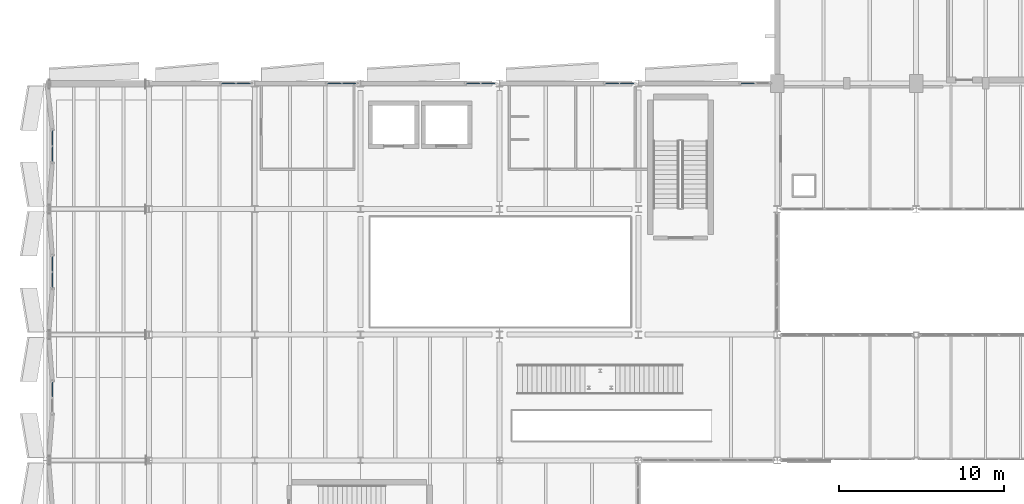
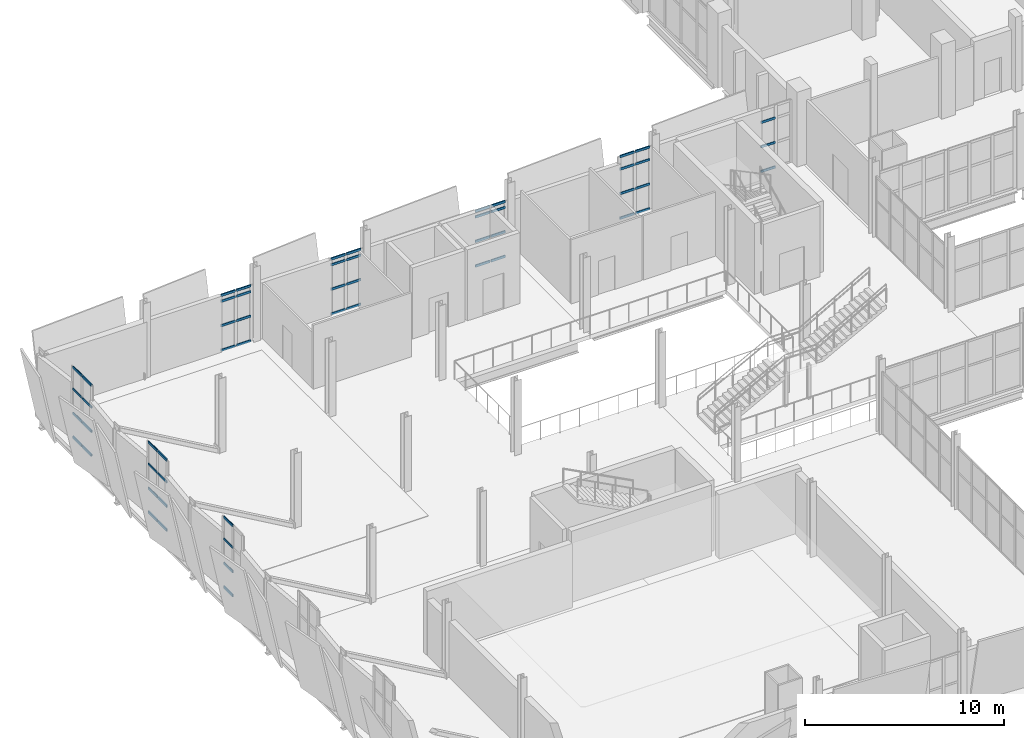
# One storey, part 125 of 172: 55 members, 8 elements without a shape of their own.
"""IFC4 building model written with IfcOpenShell, lengths in metres."""

from ifc_helpers import new_model, si_unit, direction, frame, origin, origin_2d, place, context, subcontext, project, spatial, hollow_rectangle, extrude, material, material_profile, profile_set, type_object, element, aggregate, save


model = new_model("IFC4")

# Units and contexts
model_context = context("Model", 3, precision=1e-05, world=origin(), true_north=direction((0.0, 1.0)))
body_context = subcontext(model_context, "Body", "Model", "MODEL_VIEW")
ifc_project = project(units=[si_unit("LENGTHUNIT", "METRE"), si_unit("AREAUNIT", "SQUARE_METRE"), si_unit("VOLUMEUNIT", "CUBIC_METRE"), si_unit("PLANEANGLEUNIT", "RADIAN"), si_unit("MASSUNIT", "GRAM", prefix="KILO")], contexts=[model_context])

# Site, building, storey
site_placement = place(None, origin())
site = spatial("IfcSite", under=ifc_project, at=site_placement, CompositionType="ELEMENT")
building_placement = place(site_placement, origin())
building = spatial("IfcBuilding", under=site, at=building_placement, Name="Shengluoqiao Park Theatre", CompositionType="ELEMENT")
storey_placement = place(building_placement, frame((0.0, 0.0, 5.39990234375)))
storey = spatial("IfcBuildingStorey", under=building, at=storey_placement, Name="L01", CompositionType="ELEMENT", Elevation=5.39990234375)

# Curtain wall, members
ifc_material = material(Name="Aluminium 6063-T6", Category="aluminium")
curtain_wall_type = type_object("IfcCurtainWallType", Name="ENV-CW-FOYER", PredefinedType="NOTDEFINED", material=ifc_material)
curtain_wall_1_placement = place(storey_placement, origin())
curtain_wall_1 = element("IfcCurtainWall", 1, at=curtain_wall_1_placement, inside=storey, type_object=curtain_wall_type, Name="L01 Curtain Wall CW-L01-0046", PredefinedType="NOTDEFINED")
ifc_material_profile = material_profile(ifc_material, hollow_rectangle(XDim=0.06494140625, YDim=0.14990234375, WallThickness=0.00390625, InnerFilletRadius=0.00390625, OuterFilletRadius=0.008056640625, at=origin_2d()), Name="ALU TRANSOM 150x65x4")
ifc_profile_set = profile_set([ifc_material_profile], Name="Aluminium 6063-T6")
member_type = type_object("IfcMemberType", Name="ENV-TRN-150", PredefinedType="USERDEFINED", material=ifc_profile_set)
member_1_placement = place(storey_placement, frame((10.801025390625, 76.0, 0.03271484375), z_axis=(1.0, 0.0, 0.0), x_axis=(0.0, 1.0, 0.0)))
member_1 = element("IfcMember", 2, at=member_1_placement, type_object=member_type, Name="CW-01 transom 1.1", ObjectType="TRANSOM", PredefinedType="USERDEFINED", context=body_context, shape_type="SweptSolid", body=[
    extrude(hollow_rectangle(XDim=0.06494140625, YDim=0.14990234375, WallThickness=0.00390625, InnerFilletRadius=0.00390625, OuterFilletRadius=0.008056640625, at=origin_2d()), origin(), (0.0, 0.0, 1.0), 0.83251953125),
])
member_2_placement = place(storey_placement, frame((10.801025390625, 76.0, 1.550048828125), z_axis=(1.0, 0.0, 0.0), x_axis=(0.0, 1.0, 0.0)))
member_2 = element("IfcMember", 3, at=member_2_placement, type_object=member_type, Name="CW-01 transom 1.2", ObjectType="TRANSOM", PredefinedType="USERDEFINED", context=body_context, shape_type="SweptSolid", body=[
    extrude(hollow_rectangle(XDim=0.06494140625, YDim=0.14990234375, WallThickness=0.00390625, InnerFilletRadius=0.00390625, OuterFilletRadius=0.008056640625, at=origin_2d()), origin(), (0.0, 0.0, 1.0), 0.83251953125),
])
member_3_placement = place(storey_placement, frame((10.801025390625, 76.0, 3.050048828125), z_axis=(1.0, 0.0, 0.0), x_axis=(0.0, 1.0, 0.0)))
member_3 = element("IfcMember", 4, at=member_3_placement, type_object=member_type, Name="CW-01 transom 1.3", ObjectType="TRANSOM", PredefinedType="USERDEFINED", context=body_context, shape_type="SweptSolid", body=[
    extrude(hollow_rectangle(XDim=0.06494140625, YDim=0.14990234375, WallThickness=0.00390625, InnerFilletRadius=0.00390625, OuterFilletRadius=0.008056640625, at=origin_2d()), origin(), (0.0, 0.0, 1.0), 0.83251953125),
])
member_4_placement = place(storey_placement, frame((10.801025390625, 76.0, 3.405517578125), z_axis=(1.0, 0.0, 0.0), x_axis=(0.0, 1.0, 0.0)))
member_4 = element("IfcMember", 5, at=member_4_placement, type_object=member_type, Name="CW-01 transom 1.4", ObjectType="TRANSOM", PredefinedType="USERDEFINED", context=body_context, shape_type="SweptSolid", body=[
    extrude(hollow_rectangle(XDim=0.06494140625, YDim=0.14990234375, WallThickness=0.00390625, InnerFilletRadius=0.00390625, OuterFilletRadius=0.008056640625, at=origin_2d()), origin(), (0.0, 0.0, 1.0), 0.83251953125),
])
member_5_placement = place(storey_placement, frame((11.698486328125, 76.0, 0.03271484375), z_axis=(1.0, 0.0, 0.0), x_axis=(0.0, 1.0, 0.0)))
member_5 = element("IfcMember", 6, at=member_5_placement, type_object=member_type, Name="CW-01 transom 2.1", ObjectType="TRANSOM", PredefinedType="USERDEFINED", context=body_context, shape_type="SweptSolid", body=[
    extrude(hollow_rectangle(XDim=0.06494140625, YDim=0.14990234375, WallThickness=0.00390625, InnerFilletRadius=0.00390625, OuterFilletRadius=0.008056640625, at=origin_2d()), origin(), (0.0, 0.0, 1.0), 0.83251953125),
])
member_6_placement = place(storey_placement, frame((11.698486328125, 76.0, 1.550048828125), z_axis=(1.0, 0.0, 0.0), x_axis=(0.0, 1.0, 0.0)))
member_6 = element("IfcMember", 7, at=member_6_placement, type_object=member_type, Name="CW-01 transom 2.2", ObjectType="TRANSOM", PredefinedType="USERDEFINED", context=body_context, shape_type="SweptSolid", body=[
    extrude(hollow_rectangle(XDim=0.06494140625, YDim=0.14990234375, WallThickness=0.00390625, InnerFilletRadius=0.00390625, OuterFilletRadius=0.008056640625, at=origin_2d()), origin(), (0.0, 0.0, 1.0), 0.83251953125),
])
member_7_placement = place(storey_placement, frame((11.698486328125, 76.0, 3.050048828125), z_axis=(1.0, 0.0, 0.0), x_axis=(0.0, 1.0, 0.0)))
member_7 = element("IfcMember", 8, at=member_7_placement, type_object=member_type, Name="CW-01 transom 2.3", ObjectType="TRANSOM", PredefinedType="USERDEFINED", context=body_context, shape_type="SweptSolid", body=[
    extrude(hollow_rectangle(XDim=0.06494140625, YDim=0.14990234375, WallThickness=0.00390625, InnerFilletRadius=0.00390625, OuterFilletRadius=0.008056640625, at=origin_2d()), origin(), (0.0, 0.0, 1.0), 0.83251953125),
])
member_8_placement = place(storey_placement, frame((11.698486328125, 76.0, 3.405517578125), z_axis=(1.0, 0.0, 0.0), x_axis=(0.0, 1.0, 0.0)))
member_8 = element("IfcMember", 9, at=member_8_placement, type_object=member_type, Name="CW-01 transom 2.4", ObjectType="TRANSOM", PredefinedType="USERDEFINED", context=body_context, shape_type="SweptSolid", body=[
    extrude(hollow_rectangle(XDim=0.06494140625, YDim=0.14990234375, WallThickness=0.00390625, InnerFilletRadius=0.00390625, OuterFilletRadius=0.008056640625, at=origin_2d()), origin(), (0.0, 0.0, 1.0), 0.83251953125),
])
aggregate(curtain_wall_1, [member_1, member_2, member_3, member_4, member_5, member_6, member_7, member_8])

curtain_wall_2_placement = place(storey_placement, origin())
curtain_wall_2 = element("IfcCurtainWall", 10, at=curtain_wall_2_placement, inside=storey, type_object=curtain_wall_type, Name="L01 Curtain Wall CW-L01-0047", PredefinedType="NOTDEFINED")
member_9_placement = place(storey_placement, frame((17.200927734375, 76.0, 0.03271484375), z_axis=(1.0, 0.0, 0.0), x_axis=(0.0, 1.0, 0.0)))
member_9 = element("IfcMember", 11, at=member_9_placement, type_object=member_type, Name="CW-01 transom 1.1", ObjectType="TRANSOM", PredefinedType="USERDEFINED", context=body_context, shape_type="SweptSolid", body=[
    extrude(hollow_rectangle(XDim=0.06494140625, YDim=0.14990234375, WallThickness=0.00390625, InnerFilletRadius=0.00390625, OuterFilletRadius=0.008056640625, at=origin_2d()), origin(), (0.0, 0.0, 1.0), 0.83251953125),
])
member_10_placement = place(storey_placement, frame((17.200927734375, 76.0, 1.550048828125), z_axis=(1.0, 0.0, 0.0), x_axis=(0.0, 1.0, 0.0)))
member_10 = element("IfcMember", 12, at=member_10_placement, type_object=member_type, Name="CW-01 transom 1.2", ObjectType="TRANSOM", PredefinedType="USERDEFINED", context=body_context, shape_type="SweptSolid", body=[
    extrude(hollow_rectangle(XDim=0.06494140625, YDim=0.14990234375, WallThickness=0.00390625, InnerFilletRadius=0.00390625, OuterFilletRadius=0.008056640625, at=origin_2d()), origin(), (0.0, 0.0, 1.0), 0.83251953125),
])
member_11_placement = place(storey_placement, frame((17.200927734375, 76.0, 3.050048828125), z_axis=(1.0, 0.0, 0.0), x_axis=(0.0, 1.0, 0.0)))
member_11 = element("IfcMember", 13, at=member_11_placement, type_object=member_type, Name="CW-01 transom 1.3", ObjectType="TRANSOM", PredefinedType="USERDEFINED", context=body_context, shape_type="SweptSolid", body=[
    extrude(hollow_rectangle(XDim=0.06494140625, YDim=0.14990234375, WallThickness=0.00390625, InnerFilletRadius=0.00390625, OuterFilletRadius=0.008056640625, at=origin_2d()), origin(), (0.0, 0.0, 1.0), 0.83251953125),
])
member_12_placement = place(storey_placement, frame((17.200927734375, 76.0, 3.405517578125), z_axis=(1.0, 0.0, 0.0), x_axis=(0.0, 1.0, 0.0)))
member_12 = element("IfcMember", 14, at=member_12_placement, type_object=member_type, Name="CW-01 transom 1.4", ObjectType="TRANSOM", PredefinedType="USERDEFINED", context=body_context, shape_type="SweptSolid", body=[
    extrude(hollow_rectangle(XDim=0.06494140625, YDim=0.14990234375, WallThickness=0.00390625, InnerFilletRadius=0.00390625, OuterFilletRadius=0.008056640625, at=origin_2d()), origin(), (0.0, 0.0, 1.0), 0.83251953125),
])
member_13_placement = place(storey_placement, frame((18.098388671875, 76.0, 0.03271484375), z_axis=(1.0, 0.0, 0.0), x_axis=(0.0, 1.0, 0.0)))
member_13 = element("IfcMember", 15, at=member_13_placement, type_object=member_type, Name="CW-01 transom 2.1", ObjectType="TRANSOM", PredefinedType="USERDEFINED", context=body_context, shape_type="SweptSolid", body=[
    extrude(hollow_rectangle(XDim=0.06494140625, YDim=0.14990234375, WallThickness=0.00390625, InnerFilletRadius=0.00390625, OuterFilletRadius=0.008056640625, at=origin_2d()), origin(), (0.0, 0.0, 1.0), 0.83251953125),
])
member_14_placement = place(storey_placement, frame((18.098388671875, 76.0, 1.550048828125), z_axis=(1.0, 0.0, 0.0), x_axis=(0.0, 1.0, 0.0)))
member_14 = element("IfcMember", 16, at=member_14_placement, type_object=member_type, Name="CW-01 transom 2.2", ObjectType="TRANSOM", PredefinedType="USERDEFINED", context=body_context, shape_type="SweptSolid", body=[
    extrude(hollow_rectangle(XDim=0.06494140625, YDim=0.14990234375, WallThickness=0.00390625, InnerFilletRadius=0.00390625, OuterFilletRadius=0.008056640625, at=origin_2d()), origin(), (0.0, 0.0, 1.0), 0.83251953125),
])
member_15_placement = place(storey_placement, frame((18.098388671875, 76.0, 3.050048828125), z_axis=(1.0, 0.0, 0.0), x_axis=(0.0, 1.0, 0.0)))
member_15 = element("IfcMember", 17, at=member_15_placement, type_object=member_type, Name="CW-01 transom 2.3", ObjectType="TRANSOM", PredefinedType="USERDEFINED", context=body_context, shape_type="SweptSolid", body=[
    extrude(hollow_rectangle(XDim=0.06494140625, YDim=0.14990234375, WallThickness=0.00390625, InnerFilletRadius=0.00390625, OuterFilletRadius=0.008056640625, at=origin_2d()), origin(), (0.0, 0.0, 1.0), 0.83251953125),
])
member_16_placement = place(storey_placement, frame((18.098388671875, 76.0, 3.405517578125), z_axis=(1.0, 0.0, 0.0), x_axis=(0.0, 1.0, 0.0)))
member_16 = element("IfcMember", 18, at=member_16_placement, type_object=member_type, Name="CW-01 transom 2.4", ObjectType="TRANSOM", PredefinedType="USERDEFINED", context=body_context, shape_type="SweptSolid", body=[
    extrude(hollow_rectangle(XDim=0.06494140625, YDim=0.14990234375, WallThickness=0.00390625, InnerFilletRadius=0.00390625, OuterFilletRadius=0.008056640625, at=origin_2d()), origin(), (0.0, 0.0, 1.0), 0.83251953125),
])
aggregate(curtain_wall_2, [member_9, member_10, member_11, member_12, member_13, member_14, member_15, member_16])

curtain_wall_3_placement = place(storey_placement, origin())
curtain_wall_3 = element("IfcCurtainWall", 19, at=curtain_wall_3_placement, inside=storey, type_object=curtain_wall_type, Name="L01 Curtain Wall CW-L01-0048", PredefinedType="NOTDEFINED")
member_17_placement = place(storey_placement, frame((25.60107421875, 76.0, 0.03271484375), z_axis=(1.0, 0.0, 0.0), x_axis=(0.0, 1.0, 0.0)))
member_17 = element("IfcMember", 20, at=member_17_placement, type_object=member_type, Name="CW-01 transom 1.1", ObjectType="TRANSOM", PredefinedType="USERDEFINED", context=body_context, shape_type="SweptSolid", body=[
    extrude(hollow_rectangle(XDim=0.06494140625, YDim=0.14990234375, WallThickness=0.00390625, InnerFilletRadius=0.00390625, OuterFilletRadius=0.008056640625, at=origin_2d()), origin(), (0.0, 0.0, 1.0), 0.83251953125),
])
member_18_placement = place(storey_placement, frame((25.60107421875, 76.0, 1.550048828125), z_axis=(1.0, 0.0, 0.0), x_axis=(0.0, 1.0, 0.0)))
member_18 = element("IfcMember", 21, at=member_18_placement, type_object=member_type, Name="CW-01 transom 1.2", ObjectType="TRANSOM", PredefinedType="USERDEFINED", context=body_context, shape_type="SweptSolid", body=[
    extrude(hollow_rectangle(XDim=0.06494140625, YDim=0.14990234375, WallThickness=0.00390625, InnerFilletRadius=0.00390625, OuterFilletRadius=0.008056640625, at=origin_2d()), origin(), (0.0, 0.0, 1.0), 0.83251953125),
])
member_19_placement = place(storey_placement, frame((25.60107421875, 76.0, 3.050048828125), z_axis=(1.0, 0.0, 0.0), x_axis=(0.0, 1.0, 0.0)))
member_19 = element("IfcMember", 22, at=member_19_placement, type_object=member_type, Name="CW-01 transom 1.3", ObjectType="TRANSOM", PredefinedType="USERDEFINED", context=body_context, shape_type="SweptSolid", body=[
    extrude(hollow_rectangle(XDim=0.06494140625, YDim=0.14990234375, WallThickness=0.00390625, InnerFilletRadius=0.00390625, OuterFilletRadius=0.008056640625, at=origin_2d()), origin(), (0.0, 0.0, 1.0), 0.83251953125),
])
member_20_placement = place(storey_placement, frame((25.60107421875, 76.0, 3.405517578125), z_axis=(1.0, 0.0, 0.0), x_axis=(0.0, 1.0, 0.0)))
member_20 = element("IfcMember", 23, at=member_20_placement, type_object=member_type, Name="CW-01 transom 1.4", ObjectType="TRANSOM", PredefinedType="USERDEFINED", context=body_context, shape_type="SweptSolid", body=[
    extrude(hollow_rectangle(XDim=0.06494140625, YDim=0.14990234375, WallThickness=0.00390625, InnerFilletRadius=0.00390625, OuterFilletRadius=0.008056640625, at=origin_2d()), origin(), (0.0, 0.0, 1.0), 0.83251953125),
])
member_21_placement = place(storey_placement, frame((26.49853515625, 76.0, 0.03271484375), z_axis=(1.0, 0.0, 0.0), x_axis=(0.0, 1.0, 0.0)))
member_21 = element("IfcMember", 24, at=member_21_placement, type_object=member_type, Name="CW-01 transom 2.1", ObjectType="TRANSOM", PredefinedType="USERDEFINED", context=body_context, shape_type="SweptSolid", body=[
    extrude(hollow_rectangle(XDim=0.06494140625, YDim=0.14990234375, WallThickness=0.00390625, InnerFilletRadius=0.00390625, OuterFilletRadius=0.008056640625, at=origin_2d()), origin(), (0.0, 0.0, 1.0), 0.83251953125),
])
member_22_placement = place(storey_placement, frame((26.49853515625, 76.0, 1.550048828125), z_axis=(1.0, 0.0, 0.0), x_axis=(0.0, 1.0, 0.0)))
member_22 = element("IfcMember", 25, at=member_22_placement, type_object=member_type, Name="CW-01 transom 2.2", ObjectType="TRANSOM", PredefinedType="USERDEFINED", context=body_context, shape_type="SweptSolid", body=[
    extrude(hollow_rectangle(XDim=0.06494140625, YDim=0.14990234375, WallThickness=0.00390625, InnerFilletRadius=0.00390625, OuterFilletRadius=0.008056640625, at=origin_2d()), origin(), (0.0, 0.0, 1.0), 0.83251953125),
])
member_23_placement = place(storey_placement, frame((26.49853515625, 76.0, 3.050048828125), z_axis=(1.0, 0.0, 0.0), x_axis=(0.0, 1.0, 0.0)))
member_23 = element("IfcMember", 26, at=member_23_placement, type_object=member_type, Name="CW-01 transom 2.3", ObjectType="TRANSOM", PredefinedType="USERDEFINED", context=body_context, shape_type="SweptSolid", body=[
    extrude(hollow_rectangle(XDim=0.06494140625, YDim=0.14990234375, WallThickness=0.00390625, InnerFilletRadius=0.00390625, OuterFilletRadius=0.008056640625, at=origin_2d()), origin(), (0.0, 0.0, 1.0), 0.83251953125),
])
member_24_placement = place(storey_placement, frame((26.49853515625, 76.0, 3.405517578125), z_axis=(1.0, 0.0, 0.0), x_axis=(0.0, 1.0, 0.0)))
member_24 = element("IfcMember", 27, at=member_24_placement, type_object=member_type, Name="CW-01 transom 2.4", ObjectType="TRANSOM", PredefinedType="USERDEFINED", context=body_context, shape_type="SweptSolid", body=[
    extrude(hollow_rectangle(XDim=0.06494140625, YDim=0.14990234375, WallThickness=0.00390625, InnerFilletRadius=0.00390625, OuterFilletRadius=0.008056640625, at=origin_2d()), origin(), (0.0, 0.0, 1.0), 0.83251953125),
])
aggregate(curtain_wall_3, [member_17, member_18, member_19, member_20, member_21, member_22, member_23, member_24])

curtain_wall_4_placement = place(storey_placement, origin())
curtain_wall_4 = element("IfcCurtainWall", 28, at=curtain_wall_4_placement, inside=storey, type_object=curtain_wall_type, Name="L01 Curtain Wall CW-L01-0049", PredefinedType="NOTDEFINED")
member_25_placement = place(storey_placement, frame((34.0009765625, 76.0, 0.03271484375), z_axis=(1.0, 0.0, 0.0), x_axis=(0.0, 1.0, 0.0)))
member_25 = element("IfcMember", 29, at=member_25_placement, type_object=member_type, Name="CW-01 transom 1.1", ObjectType="TRANSOM", PredefinedType="USERDEFINED", context=body_context, shape_type="SweptSolid", body=[
    extrude(hollow_rectangle(XDim=0.06494140625, YDim=0.14990234375, WallThickness=0.00390625, InnerFilletRadius=0.00390625, OuterFilletRadius=0.008056640625, at=origin_2d()), origin(), (0.0, 0.0, 1.0), 0.83251953125),
])
member_26_placement = place(storey_placement, frame((34.0009765625, 76.0, 1.550048828125), z_axis=(1.0, 0.0, 0.0), x_axis=(0.0, 1.0, 0.0)))
member_26 = element("IfcMember", 30, at=member_26_placement, type_object=member_type, Name="CW-01 transom 1.2", ObjectType="TRANSOM", PredefinedType="USERDEFINED", context=body_context, shape_type="SweptSolid", body=[
    extrude(hollow_rectangle(XDim=0.06494140625, YDim=0.14990234375, WallThickness=0.00390625, InnerFilletRadius=0.00390625, OuterFilletRadius=0.008056640625, at=origin_2d()), origin(), (0.0, 0.0, 1.0), 0.83251953125),
])
member_27_placement = place(storey_placement, frame((34.0009765625, 76.0, 3.050048828125), z_axis=(1.0, 0.0, 0.0), x_axis=(0.0, 1.0, 0.0)))
member_27 = element("IfcMember", 31, at=member_27_placement, type_object=member_type, Name="CW-01 transom 1.3", ObjectType="TRANSOM", PredefinedType="USERDEFINED", context=body_context, shape_type="SweptSolid", body=[
    extrude(hollow_rectangle(XDim=0.06494140625, YDim=0.14990234375, WallThickness=0.00390625, InnerFilletRadius=0.00390625, OuterFilletRadius=0.008056640625, at=origin_2d()), origin(), (0.0, 0.0, 1.0), 0.83251953125),
])
member_28_placement = place(storey_placement, frame((34.0009765625, 76.0, 3.817626953125), z_axis=(1.0, 0.0, 0.0), x_axis=(0.0, 1.0, 0.0)))
member_28 = element("IfcMember", 32, at=member_28_placement, type_object=member_type, Name="CW-01 transom 1.4", ObjectType="TRANSOM", PredefinedType="USERDEFINED", context=body_context, shape_type="SweptSolid", body=[
    extrude(hollow_rectangle(XDim=0.06494140625, YDim=0.14990234375, WallThickness=0.00390625, InnerFilletRadius=0.00390625, OuterFilletRadius=0.008056640625, at=origin_2d()), origin(), (0.0, 0.0, 1.0), 0.83251953125),
])
member_29_placement = place(storey_placement, frame((34.8984375, 76.0, 0.03271484375), z_axis=(1.0, 0.0, 0.0), x_axis=(0.0, 1.0, 0.0)))
member_29 = element("IfcMember", 33, at=member_29_placement, type_object=member_type, Name="CW-01 transom 2.1", ObjectType="TRANSOM", PredefinedType="USERDEFINED", context=body_context, shape_type="SweptSolid", body=[
    extrude(hollow_rectangle(XDim=0.06494140625, YDim=0.14990234375, WallThickness=0.00390625, InnerFilletRadius=0.00390625, OuterFilletRadius=0.008056640625, at=origin_2d()), origin(), (0.0, 0.0, 1.0), 0.83251953125),
])
member_30_placement = place(storey_placement, frame((34.8984375, 76.0, 1.550048828125), z_axis=(1.0, 0.0, 0.0), x_axis=(0.0, 1.0, 0.0)))
member_30 = element("IfcMember", 34, at=member_30_placement, type_object=member_type, Name="CW-01 transom 2.2", ObjectType="TRANSOM", PredefinedType="USERDEFINED", context=body_context, shape_type="SweptSolid", body=[
    extrude(hollow_rectangle(XDim=0.06494140625, YDim=0.14990234375, WallThickness=0.00390625, InnerFilletRadius=0.00390625, OuterFilletRadius=0.008056640625, at=origin_2d()), origin(), (0.0, 0.0, 1.0), 0.83251953125),
])
member_31_placement = place(storey_placement, frame((34.8984375, 76.0, 3.050048828125), z_axis=(1.0, 0.0, 0.0), x_axis=(0.0, 1.0, 0.0)))
member_31 = element("IfcMember", 35, at=member_31_placement, type_object=member_type, Name="CW-01 transom 2.3", ObjectType="TRANSOM", PredefinedType="USERDEFINED", context=body_context, shape_type="SweptSolid", body=[
    extrude(hollow_rectangle(XDim=0.06494140625, YDim=0.14990234375, WallThickness=0.00390625, InnerFilletRadius=0.00390625, OuterFilletRadius=0.008056640625, at=origin_2d()), origin(), (0.0, 0.0, 1.0), 0.83251953125),
])
member_32_placement = place(storey_placement, frame((34.8984375, 76.0, 3.817626953125), z_axis=(1.0, 0.0, 0.0), x_axis=(0.0, 1.0, 0.0)))
member_32 = element("IfcMember", 36, at=member_32_placement, type_object=member_type, Name="CW-01 transom 2.4", ObjectType="TRANSOM", PredefinedType="USERDEFINED", context=body_context, shape_type="SweptSolid", body=[
    extrude(hollow_rectangle(XDim=0.06494140625, YDim=0.14990234375, WallThickness=0.00390625, InnerFilletRadius=0.00390625, OuterFilletRadius=0.008056640625, at=origin_2d()), origin(), (0.0, 0.0, 1.0), 0.83251953125),
])
aggregate(curtain_wall_4, [member_25, member_26, member_27, member_28, member_29, member_30, member_31, member_32])

curtain_wall_5_placement = place(storey_placement, origin())
curtain_wall_5 = element("IfcCurtainWall", 37, at=curtain_wall_5_placement, inside=storey, type_object=curtain_wall_type, Name="L01 Curtain Wall CW-L01-0050", PredefinedType="NOTDEFINED")
member_33_placement = place(storey_placement, frame((42.200927734375, 76.0, 0.03271484375), z_axis=(1.0, 0.0, 0.0), x_axis=(0.0, 1.0, 0.0)))
member_33 = element("IfcMember", 38, at=member_33_placement, type_object=member_type, Name="CW-01 transom 1.1", ObjectType="TRANSOM", PredefinedType="USERDEFINED", context=body_context, shape_type="SweptSolid", body=[
    extrude(hollow_rectangle(XDim=0.06494140625, YDim=0.14990234375, WallThickness=0.00390625, InnerFilletRadius=0.00390625, OuterFilletRadius=0.008056640625, at=origin_2d()), origin(), (0.0, 0.0, 1.0), 0.83251953125),
])
member_34_placement = place(storey_placement, frame((42.200927734375, 76.0, 1.550048828125), z_axis=(1.0, 0.0, 0.0), x_axis=(0.0, 1.0, 0.0)))
member_34 = element("IfcMember", 39, at=member_34_placement, type_object=member_type, Name="CW-01 transom 1.2", ObjectType="TRANSOM", PredefinedType="USERDEFINED", context=body_context, shape_type="SweptSolid", body=[
    extrude(hollow_rectangle(XDim=0.06494140625, YDim=0.14990234375, WallThickness=0.00390625, InnerFilletRadius=0.00390625, OuterFilletRadius=0.008056640625, at=origin_2d()), origin(), (0.0, 0.0, 1.0), 0.83251953125),
])
member_35_placement = place(storey_placement, frame((42.200927734375, 76.0, 3.050048828125), z_axis=(1.0, 0.0, 0.0), x_axis=(0.0, 1.0, 0.0)))
member_35 = element("IfcMember", 40, at=member_35_placement, type_object=member_type, Name="CW-01 transom 1.3", ObjectType="TRANSOM", PredefinedType="USERDEFINED", context=body_context, shape_type="SweptSolid", body=[
    extrude(hollow_rectangle(XDim=0.06494140625, YDim=0.14990234375, WallThickness=0.00390625, InnerFilletRadius=0.00390625, OuterFilletRadius=0.008056640625, at=origin_2d()), origin(), (0.0, 0.0, 1.0), 0.83251953125),
])
aggregate(curtain_wall_5, [member_33, member_34, member_35])

curtain_wall_6_placement = place(storey_placement, origin())
curtain_wall_6 = element("IfcCurtainWall", 41, at=curtain_wall_6_placement, inside=storey, type_object=curtain_wall_type, Name="L01 Curtain Wall CW-L01-SLIT-0235", PredefinedType="NOTDEFINED")
member_36_placement = place(storey_placement, frame((0.56005859375, 57.032470703125, 0.03271484375), z_axis=(0.0, 1.0, 0.0), x_axis=(-1.0, 0.0, 0.0)))
member_36 = element("IfcMember", 42, at=member_36_placement, type_object=member_type, Name="CW-01 transom 2.1", ObjectType="TRANSOM", PredefinedType="USERDEFINED", context=body_context, shape_type="SweptSolid", body=[
    extrude(hollow_rectangle(XDim=0.06494140625, YDim=0.14990234375, WallThickness=0.00390625, InnerFilletRadius=0.00390625, OuterFilletRadius=0.008056640625, at=origin_2d()), origin(), (0.0, 0.0, 1.0), 0.902587890625),
])
member_37_placement = place(storey_placement, frame((0.56005859375, 57.032470703125, 1.5), z_axis=(0.0, 1.0, 0.0), x_axis=(-1.0, 0.0, 0.0)))
member_37 = element("IfcMember", 43, at=member_37_placement, type_object=member_type, Name="CW-01 transom 2.2", ObjectType="TRANSOM", PredefinedType="USERDEFINED", context=body_context, shape_type="SweptSolid", body=[
    extrude(hollow_rectangle(XDim=0.06494140625, YDim=0.14990234375, WallThickness=0.00390625, InnerFilletRadius=0.00390625, OuterFilletRadius=0.008056640625, at=origin_2d()), origin(), (0.0, 0.0, 1.0), 0.902587890625),
])
member_38_placement = place(storey_placement, frame((0.56005859375, 57.032470703125, 3.0), z_axis=(0.0, 1.0, 0.0), x_axis=(-1.0, 0.0, 0.0)))
member_38 = element("IfcMember", 44, at=member_38_placement, type_object=member_type, Name="CW-01 transom 2.3", ObjectType="TRANSOM", PredefinedType="USERDEFINED", context=body_context, shape_type="SweptSolid", body=[
    extrude(hollow_rectangle(XDim=0.06494140625, YDim=0.14990234375, WallThickness=0.00390625, InnerFilletRadius=0.00390625, OuterFilletRadius=0.008056640625, at=origin_2d()), origin(), (0.0, 0.0, 1.0), 0.902587890625),
])
member_39_placement = place(storey_placement, frame((0.56005859375, 57.032470703125, 4.32763671875), z_axis=(0.0, 1.0, 0.0), x_axis=(-1.0, 0.0, 0.0)))
member_39 = element("IfcMember", 45, at=member_39_placement, type_object=member_type, Name="CW-01 transom 2.4", ObjectType="TRANSOM", PredefinedType="USERDEFINED", context=body_context, shape_type="SweptSolid", body=[
    extrude(hollow_rectangle(XDim=0.06494140625, YDim=0.14990234375, WallThickness=0.00390625, InnerFilletRadius=0.00390625, OuterFilletRadius=0.008056640625, at=origin_2d()), origin(), (0.0, 0.0, 1.0), 0.902587890625),
])
aggregate(curtain_wall_6, [member_36, member_37, member_38, member_39])

curtain_wall_7_placement = place(storey_placement, origin())
curtain_wall_7 = element("IfcCurtainWall", 46, at=curtain_wall_7_placement, inside=storey, type_object=curtain_wall_type, Name="L01 Curtain Wall CW-L01-SLIT-0236", PredefinedType="NOTDEFINED")
member_40_placement = place(storey_placement, frame((0.56005859375, 63.6650390625, 0.03271484375), z_axis=(0.0, 1.0, 0.0), x_axis=(-1.0, 0.0, 0.0)))
member_40 = element("IfcMember", 47, at=member_40_placement, type_object=member_type, Name="CW-01 transom 1.1", ObjectType="TRANSOM", PredefinedType="USERDEFINED", context=body_context, shape_type="SweptSolid", body=[
    extrude(hollow_rectangle(XDim=0.06494140625, YDim=0.14990234375, WallThickness=0.00390625, InnerFilletRadius=0.00390625, OuterFilletRadius=0.008056640625, at=origin_2d()), origin(), (0.0, 0.0, 1.0), 0.90234375),
])
member_41_placement = place(storey_placement, frame((0.56005859375, 63.6650390625, 1.5), z_axis=(0.0, 1.0, 0.0), x_axis=(-1.0, 0.0, 0.0)))
member_41 = element("IfcMember", 48, at=member_41_placement, type_object=member_type, Name="CW-01 transom 1.2", ObjectType="TRANSOM", PredefinedType="USERDEFINED", context=body_context, shape_type="SweptSolid", body=[
    extrude(hollow_rectangle(XDim=0.06494140625, YDim=0.14990234375, WallThickness=0.00390625, InnerFilletRadius=0.00390625, OuterFilletRadius=0.008056640625, at=origin_2d()), origin(), (0.0, 0.0, 1.0), 0.90234375),
])
member_42_placement = place(storey_placement, frame((0.56005859375, 63.6650390625, 3.0), z_axis=(0.0, 1.0, 0.0), x_axis=(-1.0, 0.0, 0.0)))
member_42 = element("IfcMember", 49, at=member_42_placement, type_object=member_type, Name="CW-01 transom 1.3", ObjectType="TRANSOM", PredefinedType="USERDEFINED", context=body_context, shape_type="SweptSolid", body=[
    extrude(hollow_rectangle(XDim=0.06494140625, YDim=0.14990234375, WallThickness=0.00390625, InnerFilletRadius=0.00390625, OuterFilletRadius=0.008056640625, at=origin_2d()), origin(), (0.0, 0.0, 1.0), 0.90234375),
])
member_43_placement = place(storey_placement, frame((0.56005859375, 63.6650390625, 4.32763671875), z_axis=(0.0, 1.0, 0.0), x_axis=(-1.0, 0.0, 0.0)))
member_43 = element("IfcMember", 50, at=member_43_placement, type_object=member_type, Name="CW-01 transom 1.4", ObjectType="TRANSOM", PredefinedType="USERDEFINED", context=body_context, shape_type="SweptSolid", body=[
    extrude(hollow_rectangle(XDim=0.06494140625, YDim=0.14990234375, WallThickness=0.00390625, InnerFilletRadius=0.00390625, OuterFilletRadius=0.008056640625, at=origin_2d()), origin(), (0.0, 0.0, 1.0), 0.90234375),
])
member_44_placement = place(storey_placement, frame((0.56005859375, 64.632568359375, 0.03271484375), z_axis=(0.0, 1.0, 0.0), x_axis=(-1.0, 0.0, 0.0)))
member_44 = element("IfcMember", 51, at=member_44_placement, type_object=member_type, Name="CW-01 transom 2.1", ObjectType="TRANSOM", PredefinedType="USERDEFINED", context=body_context, shape_type="SweptSolid", body=[
    extrude(hollow_rectangle(XDim=0.06494140625, YDim=0.14990234375, WallThickness=0.00390625, InnerFilletRadius=0.00390625, OuterFilletRadius=0.008056640625, at=origin_2d()), origin(), (0.0, 0.0, 1.0), 0.90234375),
])
member_45_placement = place(storey_placement, frame((0.56005859375, 64.632568359375, 1.5), z_axis=(0.0, 1.0, 0.0), x_axis=(-1.0, 0.0, 0.0)))
member_45 = element("IfcMember", 52, at=member_45_placement, type_object=member_type, Name="CW-01 transom 2.2", ObjectType="TRANSOM", PredefinedType="USERDEFINED", context=body_context, shape_type="SweptSolid", body=[
    extrude(hollow_rectangle(XDim=0.06494140625, YDim=0.14990234375, WallThickness=0.00390625, InnerFilletRadius=0.00390625, OuterFilletRadius=0.008056640625, at=origin_2d()), origin(), (0.0, 0.0, 1.0), 0.90234375),
])
member_46_placement = place(storey_placement, frame((0.56005859375, 64.632568359375, 3.0), z_axis=(0.0, 1.0, 0.0), x_axis=(-1.0, 0.0, 0.0)))
member_46 = element("IfcMember", 53, at=member_46_placement, type_object=member_type, Name="CW-01 transom 2.3", ObjectType="TRANSOM", PredefinedType="USERDEFINED", context=body_context, shape_type="SweptSolid", body=[
    extrude(hollow_rectangle(XDim=0.06494140625, YDim=0.14990234375, WallThickness=0.00390625, InnerFilletRadius=0.00390625, OuterFilletRadius=0.008056640625, at=origin_2d()), origin(), (0.0, 0.0, 1.0), 0.90234375),
])
member_47_placement = place(storey_placement, frame((0.56005859375, 64.632568359375, 4.32763671875), z_axis=(0.0, 1.0, 0.0), x_axis=(-1.0, 0.0, 0.0)))
member_47 = element("IfcMember", 54, at=member_47_placement, type_object=member_type, Name="CW-01 transom 2.4", ObjectType="TRANSOM", PredefinedType="USERDEFINED", context=body_context, shape_type="SweptSolid", body=[
    extrude(hollow_rectangle(XDim=0.06494140625, YDim=0.14990234375, WallThickness=0.00390625, InnerFilletRadius=0.00390625, OuterFilletRadius=0.008056640625, at=origin_2d()), origin(), (0.0, 0.0, 1.0), 0.90234375),
])
aggregate(curtain_wall_7, [member_40, member_41, member_42, member_43, member_44, member_45, member_46, member_47])

curtain_wall_8_placement = place(storey_placement, origin())
curtain_wall_8 = element("IfcCurtainWall", 55, at=curtain_wall_8_placement, inside=storey, type_object=curtain_wall_type, Name="L01 Curtain Wall CW-L01-SLIT-0237", PredefinedType="NOTDEFINED")
member_48_placement = place(storey_placement, frame((0.56005859375, 71.264892578125, 0.03271484375), z_axis=(0.0, 1.0, 0.0), x_axis=(-1.0, 0.0, 0.0)))
member_48 = element("IfcMember", 56, at=member_48_placement, type_object=member_type, Name="CW-01 transom 1.1", ObjectType="TRANSOM", PredefinedType="USERDEFINED", context=body_context, shape_type="SweptSolid", body=[
    extrude(hollow_rectangle(XDim=0.06494140625, YDim=0.14990234375, WallThickness=0.00390625, InnerFilletRadius=0.00390625, OuterFilletRadius=0.008056640625, at=origin_2d()), origin(), (0.0, 0.0, 1.0), 0.902587890625),
])
member_49_placement = place(storey_placement, frame((0.56005859375, 71.264892578125, 1.5), z_axis=(0.0, 1.0, 0.0), x_axis=(-1.0, 0.0, 0.0)))
member_49 = element("IfcMember", 57, at=member_49_placement, type_object=member_type, Name="CW-01 transom 1.2", ObjectType="TRANSOM", PredefinedType="USERDEFINED", context=body_context, shape_type="SweptSolid", body=[
    extrude(hollow_rectangle(XDim=0.06494140625, YDim=0.14990234375, WallThickness=0.00390625, InnerFilletRadius=0.00390625, OuterFilletRadius=0.008056640625, at=origin_2d()), origin(), (0.0, 0.0, 1.0), 0.902587890625),
])
member_50_placement = place(storey_placement, frame((0.56005859375, 71.264892578125, 3.0), z_axis=(0.0, 1.0, 0.0), x_axis=(-1.0, 0.0, 0.0)))
member_50 = element("IfcMember", 58, at=member_50_placement, type_object=member_type, Name="CW-01 transom 1.3", ObjectType="TRANSOM", PredefinedType="USERDEFINED", context=body_context, shape_type="SweptSolid", body=[
    extrude(hollow_rectangle(XDim=0.06494140625, YDim=0.14990234375, WallThickness=0.00390625, InnerFilletRadius=0.00390625, OuterFilletRadius=0.008056640625, at=origin_2d()), origin(), (0.0, 0.0, 1.0), 0.902587890625),
])
member_51_placement = place(storey_placement, frame((0.56005859375, 71.264892578125, 4.32763671875), z_axis=(0.0, 1.0, 0.0), x_axis=(-1.0, 0.0, 0.0)))
member_51 = element("IfcMember", 59, at=member_51_placement, type_object=member_type, Name="CW-01 transom 1.4", ObjectType="TRANSOM", PredefinedType="USERDEFINED", context=body_context, shape_type="SweptSolid", body=[
    extrude(hollow_rectangle(XDim=0.06494140625, YDim=0.14990234375, WallThickness=0.00390625, InnerFilletRadius=0.00390625, OuterFilletRadius=0.008056640625, at=origin_2d()), origin(), (0.0, 0.0, 1.0), 0.902587890625),
])
member_52_placement = place(storey_placement, frame((0.56005859375, 72.232421875, 0.03271484375), z_axis=(0.0, 1.0, 0.0), x_axis=(-1.0, 0.0, 0.0)))
member_52 = element("IfcMember", 60, at=member_52_placement, type_object=member_type, Name="CW-01 transom 2.1", ObjectType="TRANSOM", PredefinedType="USERDEFINED", context=body_context, shape_type="SweptSolid", body=[
    extrude(hollow_rectangle(XDim=0.06494140625, YDim=0.14990234375, WallThickness=0.00390625, InnerFilletRadius=0.00390625, OuterFilletRadius=0.008056640625, at=origin_2d()), origin(), (0.0, 0.0, 1.0), 0.902587890625),
])
member_53_placement = place(storey_placement, frame((0.56005859375, 72.232421875, 1.5), z_axis=(0.0, 1.0, 0.0), x_axis=(-1.0, 0.0, 0.0)))
member_53 = element("IfcMember", 61, at=member_53_placement, type_object=member_type, Name="CW-01 transom 2.2", ObjectType="TRANSOM", PredefinedType="USERDEFINED", context=body_context, shape_type="SweptSolid", body=[
    extrude(hollow_rectangle(XDim=0.06494140625, YDim=0.14990234375, WallThickness=0.00390625, InnerFilletRadius=0.00390625, OuterFilletRadius=0.008056640625, at=origin_2d()), origin(), (0.0, 0.0, 1.0), 0.902587890625),
])
member_54_placement = place(storey_placement, frame((0.56005859375, 72.232421875, 3.0), z_axis=(0.0, 1.0, 0.0), x_axis=(-1.0, 0.0, 0.0)))
member_54 = element("IfcMember", 62, at=member_54_placement, type_object=member_type, Name="CW-01 transom 2.3", ObjectType="TRANSOM", PredefinedType="USERDEFINED", context=body_context, shape_type="SweptSolid", body=[
    extrude(hollow_rectangle(XDim=0.06494140625, YDim=0.14990234375, WallThickness=0.00390625, InnerFilletRadius=0.00390625, OuterFilletRadius=0.008056640625, at=origin_2d()), origin(), (0.0, 0.0, 1.0), 0.902587890625),
])
member_55_placement = place(storey_placement, frame((0.56005859375, 72.232421875, 4.32763671875), z_axis=(0.0, 1.0, 0.0), x_axis=(-1.0, 0.0, 0.0)))
member_55 = element("IfcMember", 63, at=member_55_placement, type_object=member_type, Name="CW-01 transom 2.4", ObjectType="TRANSOM", PredefinedType="USERDEFINED", context=body_context, shape_type="SweptSolid", body=[
    extrude(hollow_rectangle(XDim=0.06494140625, YDim=0.14990234375, WallThickness=0.00390625, InnerFilletRadius=0.00390625, OuterFilletRadius=0.008056640625, at=origin_2d()), origin(), (0.0, 0.0, 1.0), 0.902587890625),
])
aggregate(curtain_wall_8, [member_48, member_49, member_50, member_51, member_52, member_53, member_54, member_55])

save(model, "model.ifc")
